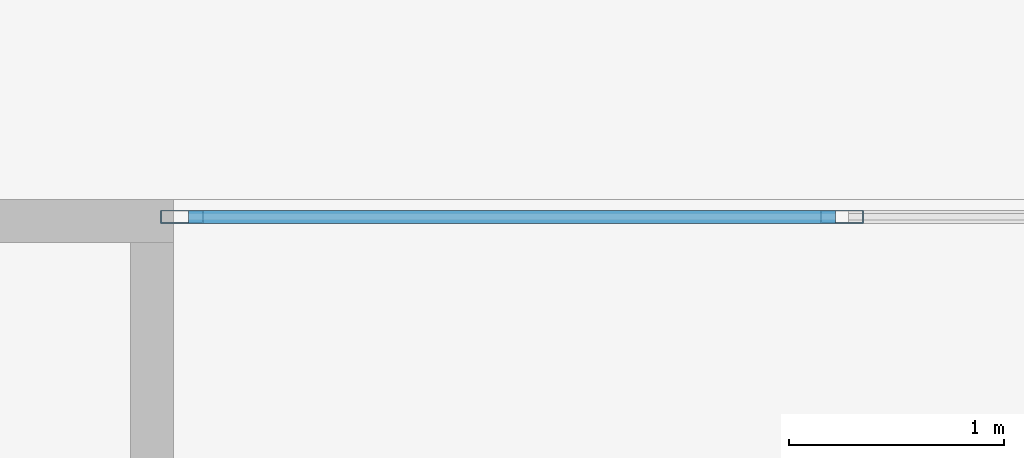
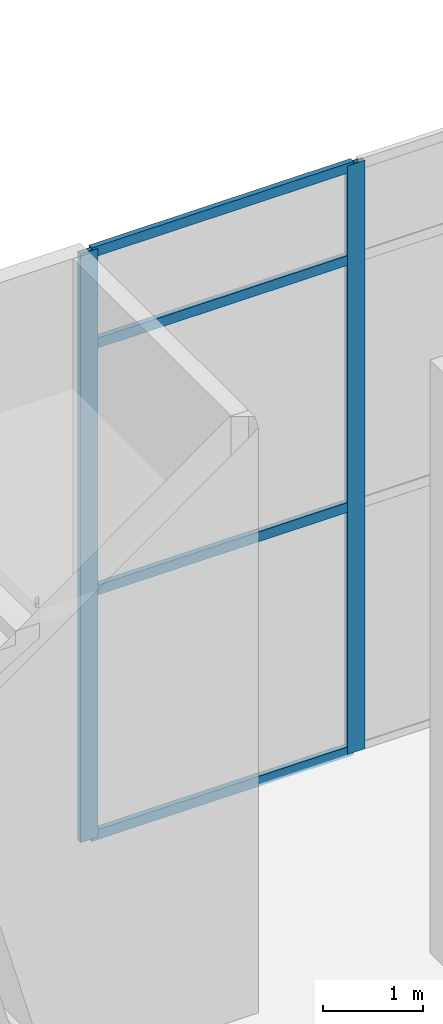
# One storey, part 14 of 52: 6 members, 1 element without a shape of its own.
"""IFC4 building model written with IfcOpenShell, lengths in metres."""

from ifc_helpers import new_model, si_unit, direction, frame, origin, origin_2d, place, context, subcontext, project, spatial, hollow_rectangle, extrude, source, transform, mapped, material, material_profile, profile_set, type_object, element, aggregate, save


model = new_model("IFC4")

# Units and contexts
model_context = context("Model", 3, precision=1e-05, world=origin(), true_north=direction((0.0, 1.0)))
body_context = subcontext(model_context, "Body", "Model", "MODEL_VIEW")
ifc_project = project(units=[si_unit("LENGTHUNIT", "METRE"), si_unit("AREAUNIT", "SQUARE_METRE"), si_unit("VOLUMEUNIT", "CUBIC_METRE"), si_unit("PLANEANGLEUNIT", "RADIAN"), si_unit("MASSUNIT", "GRAM", prefix="KILO")], contexts=[model_context])

# Site, building, storey
site_placement = place(None, origin())
site = spatial("IfcSite", under=ifc_project, at=site_placement, CompositionType="ELEMENT")
building_placement = place(site_placement, origin())
building = spatial("IfcBuilding", under=site, at=building_placement, Name="Khomas Fold Tower", CompositionType="ELEMENT")
storey_placement = place(building_placement, origin())
storey = spatial("IfcBuildingStorey", under=building, at=storey_placement, Name="L00", CompositionType="ELEMENT", Elevation=0.0)

# Curtain wall, members
ifc_material_1 = material(Name="Aluminium framed double glazing", Category="aluminium")
curtain_wall_type = type_object("IfcCurtainWallType", Name="Shopfront glazing PD-CW", PredefinedType="NOTDEFINED", material=ifc_material_1)
curtain_wall_placement = place(storey_placement, origin())
curtain_wall = element("IfcCurtainWall", 1, at=curtain_wall_placement, inside=storey, type_object=curtain_wall_type, Name="Podium shopfront run", PredefinedType="NOTDEFINED")
ifc_material_2 = material(Name="Aluminium", Category="aluminium")
ifc_material_profile_1 = material_profile(ifc_material_2, hollow_rectangle(XDim=0.06005859375, YDim=0.199951171875, WallThickness=0.00390625, at=origin_2d()), Name="Shopfront glazing mullion PD-CW-M")
ifc_profile_set_1 = profile_set([ifc_material_profile_1], Name="Aluminium")
member_type_1 = type_object("IfcMemberType", Name="Shopfront glazing mullion PD-CW-M", PredefinedType="MULLION", material=ifc_profile_set_1)
shared_shape_1 = source(origin(), body_context, "Body", "SweptSolid", [
    extrude(hollow_rectangle(XDim=0.06005859375, YDim=0.199951171875, WallThickness=0.00390625, at=origin_2d()), origin(), (0.0, 0.0, 1.0), 7.14990234375),
])
member_1_placement = place(storey_placement, frame((1.30810546875, 53.919921875, 0.0), z_axis=(0.0, 0.0, 1.0), x_axis=(0.0, -1.0, 0.0)))
member_1 = element("IfcMember", 2, at=member_1_placement, type_object=member_type_1, Name="PD-CW mullion 5", PredefinedType="MULLION", context=body_context, shape_type="MappedRepresentation", body=[
    mapped(shared_shape_1, transform((0.0, 0.0, 0.0))),
])
member_2_placement = place(storey_placement, frame((-1.760009765625, 53.919921875, 0.0), z_axis=(0.0, 0.0, 1.0), x_axis=(0.0, -1.0, 0.0)))
member_2 = element("IfcMember", 3, at=member_2_placement, type_object=member_type_1, Name="PD-CW mullion 6", PredefinedType="MULLION", context=body_context, shape_type="MappedRepresentation", body=[
    mapped(shared_shape_1, transform((0.0, 0.0, 0.0))),
])
ifc_material_3 = material(Name="Aluminium", Category="aluminium")
ifc_material_profile_2 = material_profile(ifc_material_3, hollow_rectangle(XDim=0.06005859375, YDim=0.1201171875, WallThickness=0.00390625, at=origin_2d()), Name="Shopfront glazing transom PD-CW-T")
ifc_profile_set_2 = profile_set([ifc_material_profile_2], Name="Aluminium")
member_type_2 = type_object("IfcMemberType", Name="Shopfront glazing transom PD-CW-T", PredefinedType="USERDEFINED", material=ifc_profile_set_2)
shared_shape_2 = source(origin(), body_context, "Body", "SweptSolid", [
    extrude(hollow_rectangle(XDim=0.06005859375, YDim=0.1201171875, WallThickness=0.00390625, at=origin_2d()), origin(), (0.0, 0.0, 1.0), 3.008056640625),
])
member_3_placement = place(storey_placement, frame((1.278076171875, 53.919921875, 0.030029296875), z_axis=(-1.0, 0.0, 0.0), x_axis=(0.0, -1.0, 0.0)))
member_3 = element("IfcMember", 4, at=member_3_placement, type_object=member_type_2, Name="PD-CW transom 5.1", ObjectType="TRANSOM", PredefinedType="USERDEFINED", context=body_context, shape_type="MappedRepresentation", body=[
    mapped(shared_shape_2, transform((0.0, 0.0, 0.0))),
])
member_4_placement = place(storey_placement, frame((1.278076171875, 53.919921875, 3.0), z_axis=(-1.0, 0.0, 0.0), x_axis=(0.0, -1.0, 0.0)))
member_4 = element("IfcMember", 5, at=member_4_placement, type_object=member_type_2, Name="PD-CW transom 5.2", ObjectType="TRANSOM", PredefinedType="USERDEFINED", context=body_context, shape_type="MappedRepresentation", body=[
    mapped(shared_shape_2, transform((0.0, 0.0, 0.0))),
])
member_5_placement = place(storey_placement, frame((1.278076171875, 53.919921875, 6.0), z_axis=(-1.0, 0.0, 0.0), x_axis=(0.0, -1.0, 0.0)))
member_5 = element("IfcMember", 6, at=member_5_placement, type_object=member_type_2, Name="PD-CW transom 5.3", ObjectType="TRANSOM", PredefinedType="USERDEFINED", context=body_context, shape_type="MappedRepresentation", body=[
    mapped(shared_shape_2, transform((0.0, 0.0, 0.0))),
])
member_6_placement = place(storey_placement, frame((1.278076171875, 53.919921875, 7.1201171875), z_axis=(-1.0, 0.0, 0.0), x_axis=(0.0, -1.0, 0.0)))
member_6 = element("IfcMember", 7, at=member_6_placement, type_object=member_type_2, Name="PD-CW transom 5.4", ObjectType="TRANSOM", PredefinedType="USERDEFINED", context=body_context, shape_type="MappedRepresentation", body=[
    mapped(shared_shape_2, transform((0.0, 0.0, 0.0))),
])
aggregate(curtain_wall, [member_1, member_2, member_3, member_4, member_5, member_6])

save(model, "model.ifc")
